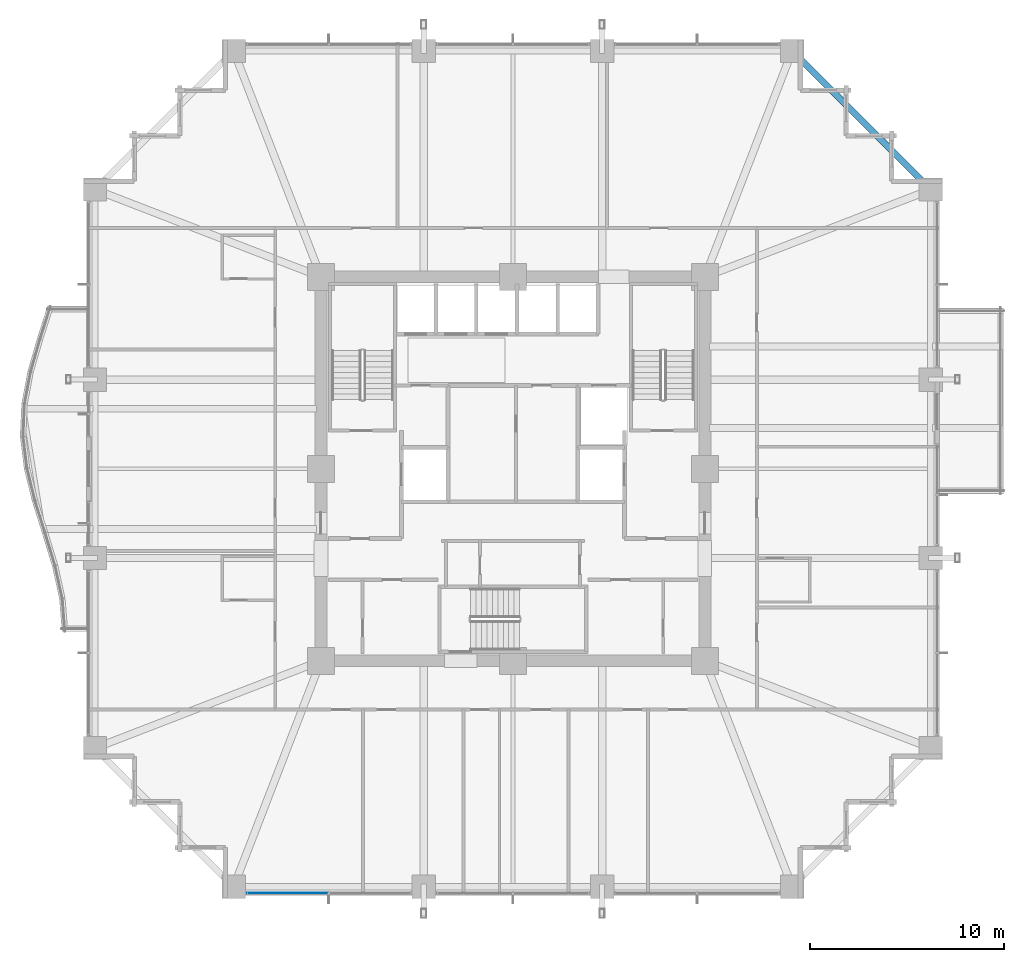
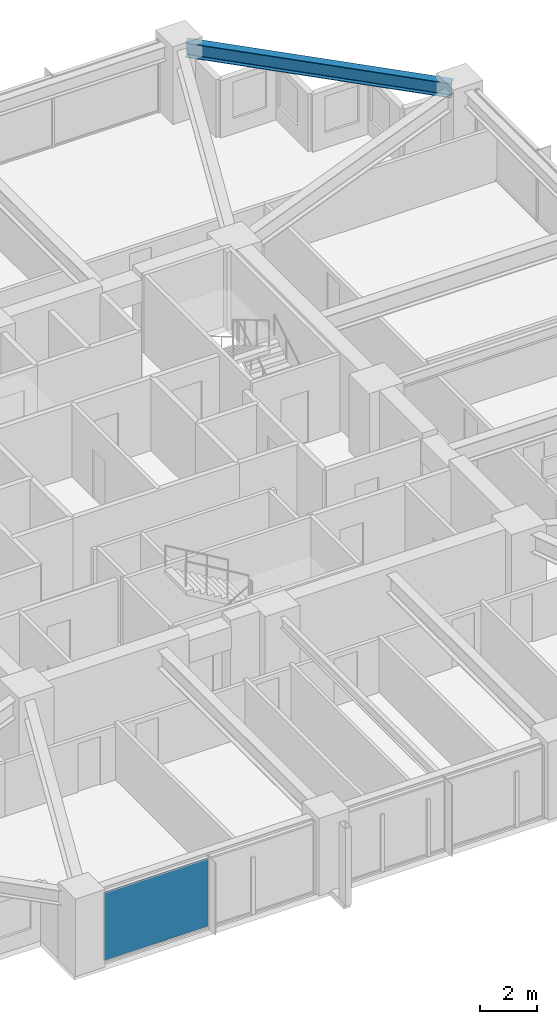
# One storey, part 27 of 38: 1 beam, 1 plate, 1 element without a shape of its own.
"""IFC4 building model written with IfcOpenShell, lengths in metres."""

from ifc_helpers import new_model, si_unit, direction, frame, origin, origin_2d, place, context, subcontext, project, spatial, rectangle, i_section, extrude, material, layer, layer_set, material_profile, profile_set, type_object, element, aggregate, save


model = new_model("IFC4")

# Units and contexts
model_context = context("Model", 3, precision=1e-05, world=origin(), true_north=direction((0.0, 1.0)))
body_context = subcontext(model_context, "Body", "Model", "MODEL_VIEW")
ifc_project = project(units=[si_unit("LENGTHUNIT", "METRE"), si_unit("AREAUNIT", "SQUARE_METRE"), si_unit("VOLUMEUNIT", "CUBIC_METRE"), si_unit("PLANEANGLEUNIT", "RADIAN"), si_unit("MASSUNIT", "GRAM", prefix="KILO")], contexts=[model_context])

# Site, building, storey
site_placement = place(None, origin())
site = spatial("IfcSite", under=ifc_project, at=site_placement, CompositionType="ELEMENT")
building_placement = place(site_placement, origin())
building = spatial("IfcBuilding", under=site, at=building_placement, Name="Kolvaren Belvedere", CompositionType="ELEMENT")
storey_placement = place(building_placement, frame((0.0, 0.0, 53.5)))
storey = spatial("IfcBuildingStorey", under=building, at=storey_placement, Name="L15", CompositionType="ELEMENT", Elevation=53.5)

# Beam
ifc_material_1 = material(Name="Structural steel ASTM A992 Grade 50", Category="steel")
ifc_material_profile = material_profile(ifc_material_1, i_section(OverallWidth=0.324951171875, OverallDepth=0.615966796875, WebThickness=0.013916015625, FlangeThickness=0.021484375, FilletRadius=0.02001953125, at=origin_2d()), Name="W24X117")
ifc_profile_set = profile_set([ifc_material_profile], Name="Structural steel ASTM A992 Grade 50")
beam_type = type_object("IfcBeamType", Name="BM-SPAN-W24X117", PredefinedType="SPANDREL", material=ifc_profile_set)
beam_placement = place(storey_placement, frame((21.359130859375, 14.5908203125, 2.751953125), z_axis=(-0.707106781187, 0.707106781187, 0.0), x_axis=(-0.707106781187, -0.707106781187, 0.0)))
element("IfcBeam", 1, at=beam_placement, inside=storey, type_object=beam_type, Name="L15 Perimeter Spandrel E4-N4", PredefinedType="SPANDREL", context=body_context, shape_type="SweptSolid", body=[
    extrude(i_section(OverallWidth=0.324951171875, OverallDepth=0.615966796875, WebThickness=0.013916015625, FlangeThickness=0.021484375, FilletRadius=0.02001953125, at=origin_2d()), origin(), (0.0, 0.0, 1.0), 9.57177734375),
])

# Curtain wall, plate
ifc_material_2 = material(Name="Anodised pale-metal aluminium AA 6063-T6", Category="aluminium")
curtain_wall_type = type_object("IfcCurtainWallType", Name="CW-Z1-LOW", PredefinedType="NOTDEFINED", material=ifc_material_2)
curtain_wall_placement = place(storey_placement, origin())
curtain_wall = element("IfcCurtainWall", 2, at=curtain_wall_placement, inside=storey, type_object=curtain_wall_type, Name="L15 Unitised Curtain Wall FCW-L15-S-B3", PredefinedType="NOTDEFINED")
ifc_material_3 = material(Name="Low-iron triple insulated glass", Category="glass")
ifc_layer = layer(ifc_material_3, 0.028076171875)
ifc_layer_set = layer_set([ifc_layer], Name="Low-iron triple insulated glass")
plate_type = type_object("IfcPlateType", Name="CW-PNL-VIS28", PredefinedType="CURTAIN_PANEL", material=ifc_layer_set)
plate_placement = place(storey_placement, frame((-11.62255859375, -21.8798828125, 0.080078125), z_axis=(0.0, 0.0, 1.0), x_axis=(-1.0, 0.0, 0.0)))
plate = element("IfcPlate", 3, at=plate_placement, type_object=plate_type, Name="FCW-L15-S-B3 Vision Glazing Panel 2", PredefinedType="CURTAIN_PANEL", context=body_context, shape_type="SweptSolid", body=[
    extrude(rectangle(XDim=4.1650390625, YDim=0.028076171875, at=origin_2d()), origin(), (0.0, 0.0, 1.0), 2.89990234375),
])
aggregate(curtain_wall, [plate])

save(model, "model.ifc")
